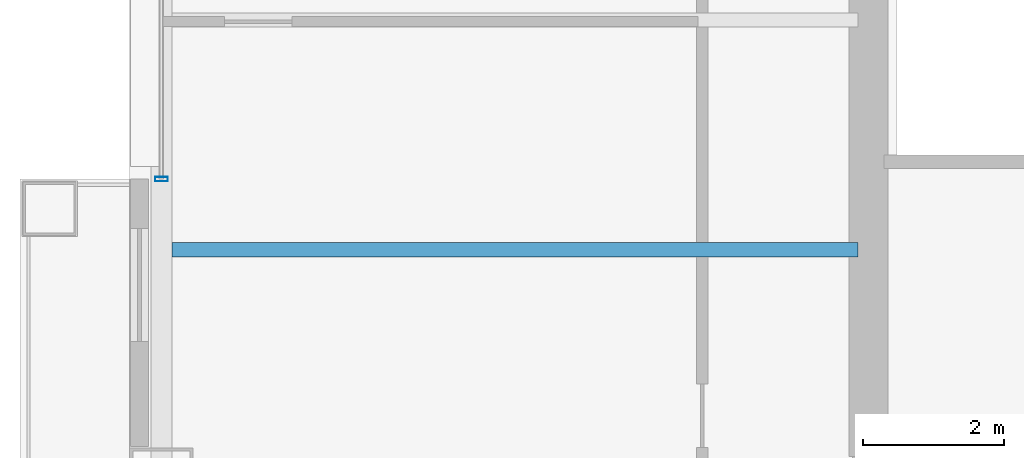
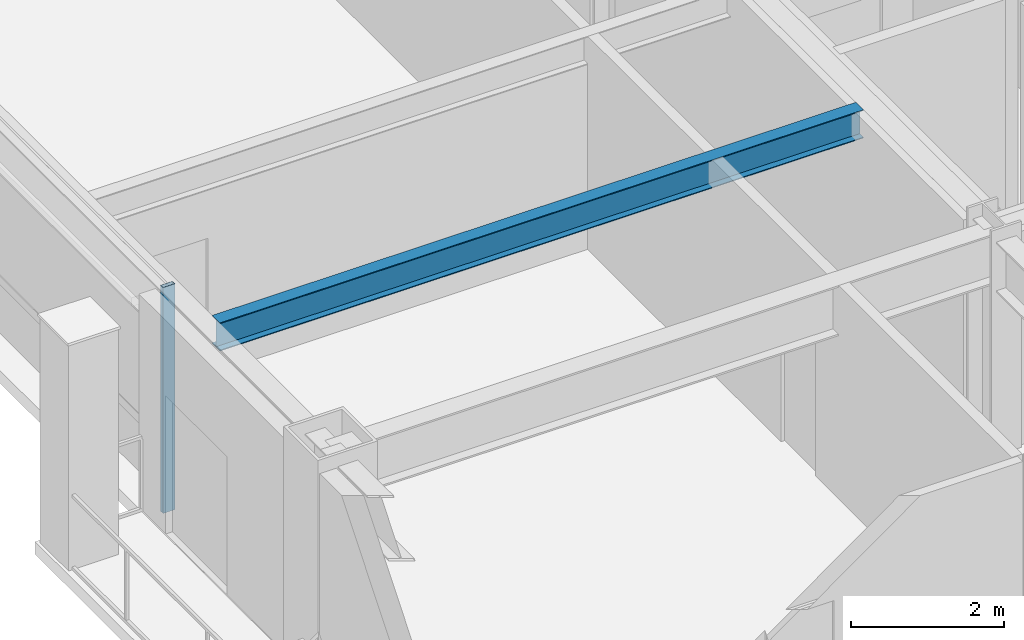
# One storey, part 7 of 29: 1 beam, 1 member, 1 element without a shape of its own.
"""IFC4 building model written with IfcOpenShell, lengths in metres."""

from ifc_helpers import new_model, si_unit, direction, frame, origin, origin_2d, place, context, subcontext, project, spatial, hollow_rectangle, i_section, extrude, material, layer, layer_set, material_profile, profile_set, type_object, element, aggregate, save


model = new_model("IFC4")

# Units and contexts
model_context = context("Model", 3, precision=1e-05, world=origin(), true_north=direction((0.0, 1.0)))
body_context = subcontext(model_context, "Body", "Model", "MODEL_VIEW")
ifc_project = project(units=[si_unit("LENGTHUNIT", "METRE"), si_unit("AREAUNIT", "SQUARE_METRE"), si_unit("VOLUMEUNIT", "CUBIC_METRE"), si_unit("PLANEANGLEUNIT", "RADIAN"), si_unit("MASSUNIT", "GRAM", prefix="KILO")], contexts=[model_context])

# Site, building, storey
site_placement = place(None, origin())
site = spatial("IfcSite", under=ifc_project, at=site_placement, CompositionType="ELEMENT")
building_placement = place(site_placement, origin())
building = spatial("IfcBuilding", under=site, at=building_placement, Name="Brelmoor Portico Tower", CompositionType="ELEMENT")
storey_placement = place(building_placement, frame((0.0, 0.0, 60.0)))
storey = spatial("IfcBuildingStorey", under=building, at=storey_placement, Name="L15", CompositionType="ELEMENT", Elevation=60.0)

# Beam
ifc_material_1 = material(Name="Steel Q355B", Category="steel")
ifc_material_profile_1 = material_profile(ifc_material_1, i_section(OverallWidth=0.199951171875, OverallDepth=0.449951171875, WebThickness=0.009033203125, FlangeThickness=0.013916015625, at=origin_2d()), Name="HN 450x200x9x14")
ifc_profile_set_1 = profile_set([ifc_material_profile_1], Name="Steel Q355B")
beam_type = type_object("IfcBeamType", Name="BM-JS-450", PredefinedType="JOIST", material=ifc_profile_set_1)
beam_placement = place(storey_placement, frame((-24.39990234375, -6.5, 3.175048828125), z_axis=(1.0, 0.0, 0.0), x_axis=(0.0, 1.0, 0.0)))
element("IfcBeam", 1, at=beam_placement, inside=storey, type_object=beam_type, Name="L15 Secondary Wing Joist JS-W05", PredefinedType="JOIST", context=body_context, shape_type="SweptSolid", body=[
    extrude(i_section(OverallWidth=0.199951171875, OverallDepth=0.449951171875, WebThickness=0.009033203125, FlangeThickness=0.013916015625, at=origin_2d()), origin(), (0.0, 0.0, 1.0), 9.699951171875),
])

# Curtain wall, member
ifc_material_2 = material(Name="Anodised Aluminium Alloy 6063-T6", Category="aluminium")
ifc_layer = layer(ifc_material_2, 0.179931640625)
ifc_layer_set = layer_set([ifc_layer], Name="Anodised Aluminium Alloy 6063-T6")
curtain_wall_type = type_object("IfcCurtainWallType", Name="CW-TOWER-Z1", PredefinedType="NOTDEFINED", material=ifc_layer_set)
curtain_wall_placement = place(storey_placement, origin())
curtain_wall = element("IfcCurtainWall", 2, at=curtain_wall_placement, inside=storey, type_object=curtain_wall_type, Name="L15 Curtain Wall CW-L15-3R-1", PredefinedType="NOTDEFINED")
ifc_material_profile_2 = material_profile(ifc_material_2, hollow_rectangle(XDim=0.06494140625, YDim=0.179931640625, WallThickness=0.00390625, at=origin_2d()), Name="ALU MULLION 65x180")
ifc_profile_set_2 = profile_set([ifc_material_profile_2], Name="Anodised Aluminium Alloy 6063-T6")
member_type = type_object("IfcMemberType", Name="MB-CW-MULL-180", PredefinedType="MULLION", material=ifc_profile_set_2)
member_placement = place(storey_placement, frame((-24.550048828125, -5.5, -0.199951171875), z_axis=(0.0, 0.0, 1.0), x_axis=(0.0, 1.0, 0.0)))
member = element("IfcMember", 3, at=member_placement, type_object=member_type, Name="CW-L15-3R-1 Mullion 00", PredefinedType="MULLION", context=body_context, shape_type="SweptSolid", body=[
    extrude(hollow_rectangle(XDim=0.06494140625, YDim=0.179931640625, WallThickness=0.00390625, at=origin_2d()), origin(), (0.0, 0.0, 1.0), 3.599853515625),
])
aggregate(curtain_wall, [member])

save(model, "model.ifc")
